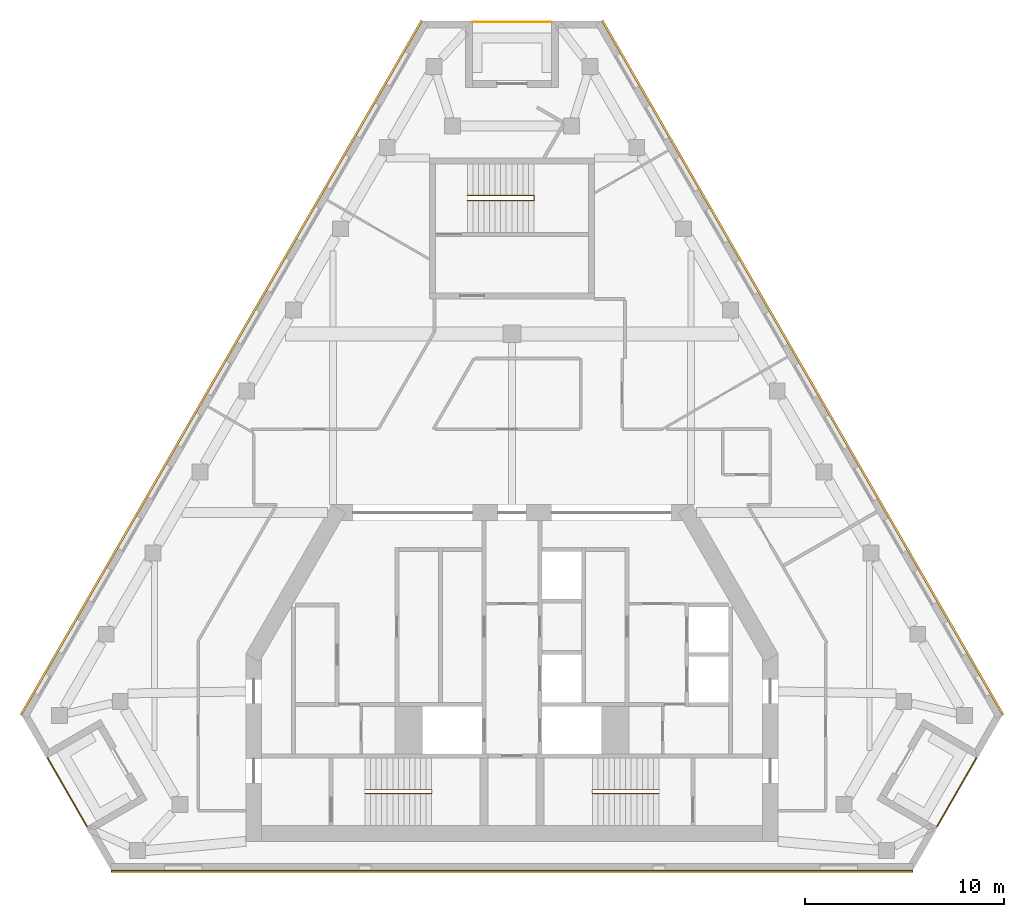
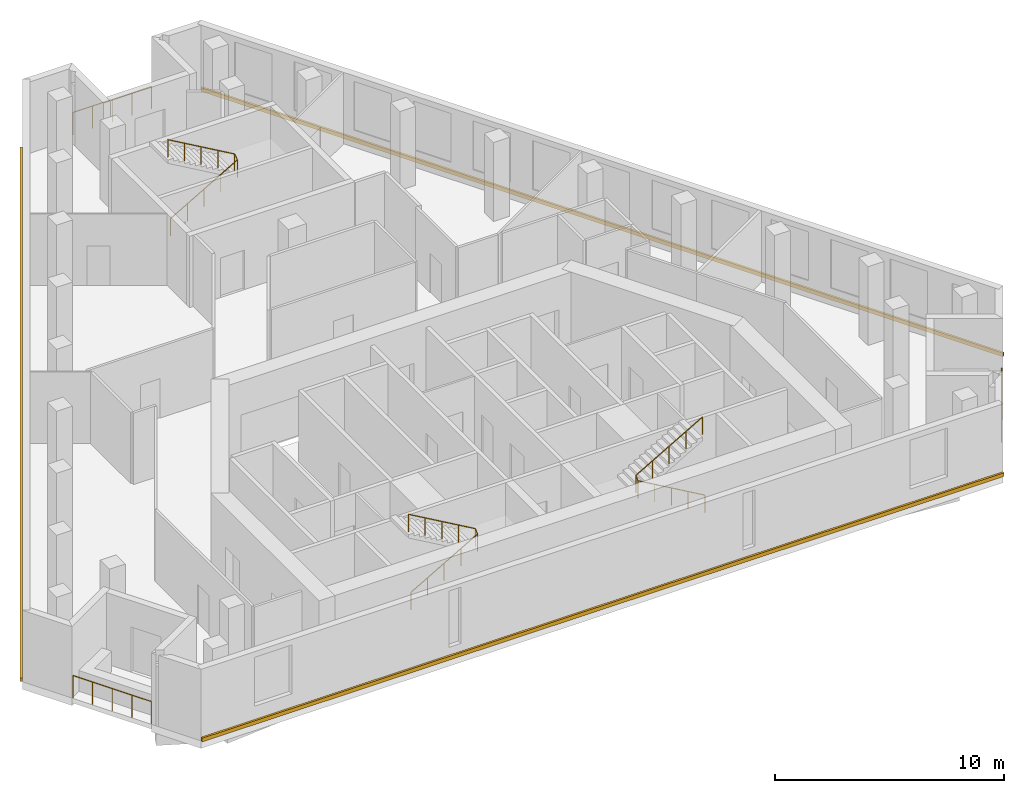
# One storey, part 8 of 8: 6 railings, 3 coverings.
"""IFC4 building model written with IfcOpenShell, lengths in metres."""

from ifc_helpers import new_model, si_unit, direction, frame, origin, origin_2d, place, context, subcontext, project, spatial, polyline, circle, outline, extrude, material, type_object, element, save


model = new_model("IFC4")

# Units and contexts
model_context = context("Model", 3, precision=1e-05, world=origin(), true_north=direction((0.0, 1.0)))
body_context = subcontext(model_context, "Body", "Model", "MODEL_VIEW")
ifc_project = project(units=[si_unit("LENGTHUNIT", "METRE"), si_unit("AREAUNIT", "SQUARE_METRE"), si_unit("VOLUMEUNIT", "CUBIC_METRE"), si_unit("PLANEANGLEUNIT", "RADIAN"), si_unit("MASSUNIT", "GRAM", prefix="KILO")], contexts=[model_context])

# Site, building, storey
site_placement = place(None, origin())
site = spatial("IfcSite", under=ifc_project, at=site_placement, CompositionType="ELEMENT")
building_placement = place(site_placement, origin())
building = spatial("IfcBuilding", under=site, at=building_placement, Name="Fogline Exchange Tower", CompositionType="ELEMENT")
storey_placement = place(building_placement, frame((0.0, 0.0, 314.10009765625)))
storey = spatial("IfcBuildingStorey", under=building, at=storey_placement, Name="L71", CompositionType="ELEMENT", Elevation=314.10009765625)

# Railings
ifc_material_1 = material(Name="Stainless steel 304", Category="steel")
railing_type_1 = type_object("IfcRailingType", Name="G1", PredefinedType="GUARDRAIL", material=ifc_material_1)
railing_1_placement = place(storey_placement, frame((-23.3759765625, 5.635986328125, 0.0)))
element("IfcRailing", 1, at=railing_1_placement, inside=storey, type_object=railing_type_1, Name="Balcony guard L71 SW", PredefinedType="GUARDRAIL", context=body_context, shape_type="SweptSolid", body=[
    extrude(circle(Radius=0.02392578125, at=origin_2d()), frame((0.0, 0.0, 1.17578125), z_axis=(0.500000102728, -0.866025344474, 0.0), x_axis=(0.866025344474, 0.500000102728, 0.0)), (0.0, 0.0, 1.0), 3.9580078125),
    extrude(circle(Radius=0.02099609375, at=origin_2d()), origin(), (0.0, 0.0, 1.0), 1.15185546875),
    extrude(circle(Radius=0.02099609375, at=origin_2d()), frame((0.49462890625, -0.85693359375, 0.0)), (0.0, 0.0, 1.0), 1.15185546875),
    extrude(circle(Radius=0.02099609375, at=origin_2d()), frame((0.989501953125, -1.7138671875, 0.0)), (0.0, 0.0, 1.0), 1.15185546875),
    extrude(circle(Radius=0.02099609375, at=origin_2d()), frame((1.484375, -2.57080078125, 0.0)), (0.0, 0.0, 1.0), 1.15185546875),
    extrude(circle(Radius=0.02099609375, at=origin_2d()), frame((1.97900390625, -3.427734375, 0.0)), (0.0, 0.0, 1.0), 1.15185546875),
])
railing_2_placement = place(storey_placement, frame((21.39697265625, 2.208251953125, 0.0)))
element("IfcRailing", 2, at=railing_2_placement, inside=storey, type_object=railing_type_1, Name="Balcony guard L71 SE", PredefinedType="GUARDRAIL", context=body_context, shape_type="SweptSolid", body=[
    extrude(circle(Radius=0.02392578125, at=origin_2d()), frame((0.0, 0.0, 1.17578125), z_axis=(0.500000102728, 0.866025344474, 0.0), x_axis=(-0.866025344474, 0.500000102728, 0.0)), (0.0, 0.0, 1.0), 3.9580078125),
    extrude(circle(Radius=0.02099609375, at=origin_2d()), origin(), (0.0, 0.0, 1.0), 1.15185546875),
    extrude(circle(Radius=0.02099609375, at=origin_2d()), frame((0.49462890625, 0.85693359375, 0.0)), (0.0, 0.0, 1.0), 1.15185546875),
    extrude(circle(Radius=0.02099609375, at=origin_2d()), frame((0.989501953125, 1.7138671875, 0.0)), (0.0, 0.0, 1.0), 1.15185546875),
    extrude(circle(Radius=0.02099609375, at=origin_2d()), frame((1.484375, 2.57080078125, 0.0)), (0.0, 0.0, 1.0), 1.15185546875),
    extrude(circle(Radius=0.02099609375, at=origin_2d()), frame((1.97900390625, 3.427734375, 0.0)), (0.0, 0.0, 1.0), 1.15185546875),
])
railing_3_placement = place(storey_placement, frame((1.97900390625, 42.69677734375, 0.0)))
element("IfcRailing", 3, at=railing_3_placement, inside=storey, type_object=railing_type_1, Name="Balcony guard L71 N", PredefinedType="GUARDRAIL", context=body_context, shape_type="SweptSolid", body=[
    extrude(circle(Radius=0.02392578125, at=origin_2d()), frame((0.0, 0.0, 1.17578125), z_axis=(-1.0, 0.0, 0.0), x_axis=(0.0, -1.0, 0.0)), (0.0, 0.0, 1.0), 3.9580078125),
    extrude(circle(Radius=0.02099609375, at=origin_2d()), origin(), (0.0, 0.0, 1.0), 1.15185546875),
    extrude(circle(Radius=0.02099609375, at=origin_2d()), frame((-0.989501953125, 0.0, 0.0)), (0.0, 0.0, 1.0), 1.15185546875),
    extrude(circle(Radius=0.02099609375, at=origin_2d()), frame((-1.97900390625, 0.0, 0.0)), (0.0, 0.0, 1.0), 1.15185546875),
    extrude(circle(Radius=0.02099609375, at=origin_2d()), frame((-2.968505859375, 0.0, 0.0)), (0.0, 0.0, 1.0), 1.15185546875),
    extrude(circle(Radius=0.02099609375, at=origin_2d()), frame((-3.9580078125, 0.0, 0.0)), (0.0, 0.0, 1.0), 1.15185546875),
])
ifc_material_2 = material(Name="Steel Q235B", Category="steel")
railing_type_2 = type_object("IfcRailingType", Name="RL-HR", PredefinedType="HANDRAIL", material=ifc_material_2)
railing_4_placement = place(storey_placement, frame((-7.39990234375, 3.85009765625, 0.161376953125)))
element("IfcRailing", 4, at=railing_4_placement, inside=storey, type_object=railing_type_2, Name="Handrail ST1", PredefinedType="HANDRAIL", context=body_context, shape_type="SweptSolid", body=[
    extrude(circle(Radius=0.02392578125, at=origin_2d()), frame((0.0, 0.0, 0.92578125), z_axis=(0.866175107563, 0.0, 0.499740615757), x_axis=(0.0, 1.0, 0.0)), (0.0, 0.0, 1.0), 3.87890625),
    extrude(circle(Radius=0.02392578125, at=origin_2d()), frame((3.35986328125, 0.0, 2.8642578125), z_axis=(0.0, 0.777709044463, 0.628624404682), x_axis=(-1.0, 0.0, 0.0)), (0.0, 0.0, 1.0), 0.257080078125),
    extrude(circle(Radius=0.02392578125, at=origin_2d()), frame((3.35986328125, 0.199951171875, 3.02587890625), z_axis=(-0.866175107563, 0.0, 0.499740615757), x_axis=(0.0, -1.0, 0.0)), (0.0, 0.0, 1.0), 3.87890625),
    extrude(circle(Radius=0.02099609375, at=origin_2d()), origin(), (0.0, 0.0, 1.0), 0.90185546875),
    extrude(circle(Radius=0.02099609375, at=origin_2d()), frame((0.83984375, 0.0, 0.484619140625)), (0.0, 0.0, 1.0), 0.90185546875),
    extrude(circle(Radius=0.02099609375, at=origin_2d()), frame((1.679931640625, 0.0, 0.96923828125)), (0.0, 0.0, 1.0), 0.90185546875),
    extrude(circle(Radius=0.02099609375, at=origin_2d()), frame((2.52001953125, 0.0, 1.453857421875)), (0.0, 0.0, 1.0), 0.90185546875),
    extrude(circle(Radius=0.02099609375, at=origin_2d()), frame((3.35986328125, 0.0, 1.9384765625)), (0.0, 0.0, 1.0), 0.90185546875),
    extrude(circle(Radius=0.02099609375, at=origin_2d()), frame((3.35986328125, 0.199951171875, 2.10009765625)), (0.0, 0.0, 1.0), 0.90185546875),
    extrude(circle(Radius=0.02099609375, at=origin_2d()), frame((2.52001953125, 0.199951171875, 2.584716796875)), (0.0, 0.0, 1.0), 0.90185546875),
    extrude(circle(Radius=0.02099609375, at=origin_2d()), frame((1.679931640625, 0.199951171875, 3.0693359375)), (0.0, 0.0, 1.0), 0.90185546875),
    extrude(circle(Radius=0.02099609375, at=origin_2d()), frame((0.83984375, 0.199951171875, 3.553955078125)), (0.0, 0.0, 1.0), 0.90185546875),
    extrude(circle(Radius=0.02099609375, at=origin_2d()), frame((0.0, 0.199951171875, 4.03857421875)), (0.0, 0.0, 1.0), 0.90185546875),
])
railing_5_placement = place(storey_placement, frame((7.39990234375, 3.85009765625, 0.161376953125)))
element("IfcRailing", 5, at=railing_5_placement, inside=storey, type_object=railing_type_2, Name="Handrail ST2", PredefinedType="HANDRAIL", context=body_context, shape_type="SweptSolid", body=[
    extrude(circle(Radius=0.02392578125, at=origin_2d()), frame((0.0, 0.0, 0.92578125), z_axis=(-0.866175107563, 0.0, 0.499740615757), x_axis=(0.0, -1.0, 0.0)), (0.0, 0.0, 1.0), 3.87890625),
    extrude(circle(Radius=0.02392578125, at=origin_2d()), frame((-3.35986328125, 0.0, 2.8642578125), z_axis=(0.0, 0.777709044463, 0.628624404682), x_axis=(-1.0, 0.0, 0.0)), (0.0, 0.0, 1.0), 0.257080078125),
    extrude(circle(Radius=0.02392578125, at=origin_2d()), frame((-3.35986328125, 0.199951171875, 3.02587890625), z_axis=(0.866175107563, 0.0, 0.499740615757), x_axis=(0.0, 1.0, 0.0)), (0.0, 0.0, 1.0), 3.87890625),
    extrude(circle(Radius=0.02099609375, at=origin_2d()), origin(), (0.0, 0.0, 1.0), 0.90185546875),
    extrude(circle(Radius=0.02099609375, at=origin_2d()), frame((-0.83984375, 0.0, 0.484619140625)), (0.0, 0.0, 1.0), 0.90185546875),
    extrude(circle(Radius=0.02099609375, at=origin_2d()), frame((-1.679931640625, 0.0, 0.96923828125)), (0.0, 0.0, 1.0), 0.90185546875),
    extrude(circle(Radius=0.02099609375, at=origin_2d()), frame((-2.52001953125, 0.0, 1.453857421875)), (0.0, 0.0, 1.0), 0.90185546875),
    extrude(circle(Radius=0.02099609375, at=origin_2d()), frame((-3.35986328125, 0.0, 1.9384765625)), (0.0, 0.0, 1.0), 0.90185546875),
    extrude(circle(Radius=0.02099609375, at=origin_2d()), frame((-3.35986328125, 0.199951171875, 2.10009765625)), (0.0, 0.0, 1.0), 0.90185546875),
    extrude(circle(Radius=0.02099609375, at=origin_2d()), frame((-2.52001953125, 0.199951171875, 2.584716796875)), (0.0, 0.0, 1.0), 0.90185546875),
    extrude(circle(Radius=0.02099609375, at=origin_2d()), frame((-1.679931640625, 0.199951171875, 3.0693359375)), (0.0, 0.0, 1.0), 0.90185546875),
    extrude(circle(Radius=0.02099609375, at=origin_2d()), frame((-0.83984375, 0.199951171875, 3.553955078125)), (0.0, 0.0, 1.0), 0.90185546875),
    extrude(circle(Radius=0.02099609375, at=origin_2d()), frame((0.0, 0.199951171875, 4.03857421875)), (0.0, 0.0, 1.0), 0.90185546875),
])
railing_6_placement = place(storey_placement, frame((-2.25, 33.70703125, 0.161376953125)))
element("IfcRailing", 6, at=railing_6_placement, inside=storey, type_object=railing_type_2, Name="Handrail ST3", PredefinedType="HANDRAIL", context=body_context, shape_type="SweptSolid", body=[
    extrude(circle(Radius=0.02392578125, at=origin_2d()), frame((0.0, 0.0, 0.92578125), z_axis=(0.866190824863, 0.0, 0.499713372768), x_axis=(0.0, 1.0, 0.0)), (0.0, 0.0, 1.0), 3.879150390625),
    extrude(circle(Radius=0.02392578125, at=origin_2d()), frame((3.360107421875, 0.0, 2.8642578125), z_axis=(0.0, 0.839790117141, 0.542911189011), x_axis=(-1.0, 0.0, 0.0)), (0.0, 0.0, 1.0), 0.297607421875),
    extrude(circle(Radius=0.02392578125, at=origin_2d()), frame((3.360107421875, 0.25, 3.02587890625), z_axis=(-0.866190824863, 0.0, 0.499713372768), x_axis=(0.0, -1.0, 0.0)), (0.0, 0.0, 1.0), 3.879150390625),
    extrude(circle(Radius=0.02099609375, at=origin_2d()), origin(), (0.0, 0.0, 1.0), 0.90185546875),
    extrude(circle(Radius=0.02099609375, at=origin_2d()), frame((0.840087890625, 0.0, 0.484619140625)), (0.0, 0.0, 1.0), 0.90185546875),
    extrude(circle(Radius=0.02099609375, at=origin_2d()), frame((1.68017578125, 0.0, 0.96923828125)), (0.0, 0.0, 1.0), 0.90185546875),
    extrude(circle(Radius=0.02099609375, at=origin_2d()), frame((2.52001953125, 0.0, 1.453857421875)), (0.0, 0.0, 1.0), 0.90185546875),
    extrude(circle(Radius=0.02099609375, at=origin_2d()), frame((3.360107421875, 0.0, 1.9384765625)), (0.0, 0.0, 1.0), 0.90185546875),
    extrude(circle(Radius=0.02099609375, at=origin_2d()), frame((3.360107421875, 0.25, 2.10009765625)), (0.0, 0.0, 1.0), 0.90185546875),
    extrude(circle(Radius=0.02099609375, at=origin_2d()), frame((2.52001953125, 0.25, 2.584716796875)), (0.0, 0.0, 1.0), 0.90185546875),
    extrude(circle(Radius=0.02099609375, at=origin_2d()), frame((1.68017578125, 0.25, 3.0693359375)), (0.0, 0.0, 1.0), 0.90185546875),
    extrude(circle(Radius=0.02099609375, at=origin_2d()), frame((0.840087890625, 0.25, 3.553955078125)), (0.0, 0.0, 1.0), 0.90185546875),
    extrude(circle(Radius=0.02099609375, at=origin_2d()), frame((0.0, 0.25, 4.03857421875)), (0.0, 0.0, 1.0), 0.90185546875),
])

# Coverings
ifc_material_3 = material(Name="Brick masonry", Category="masonry")
covering_type = type_object("IfcCoveringType", Name="SB1", PredefinedType="CLADDING", material=ifc_material_3)
covering_1_placement = place(storey_placement, origin())
element("IfcCovering", 7, at=covering_1_placement, inside=storey, type_object=covering_type, Name="Stringcourse band L71 S", PredefinedType="CLADDING", context=body_context, shape_type="SweptSolid", body=[
    extrude(outline(polyline([(-20.1796875, 0.0), (-20.1796875, -0.10009765625), (20.1796875, -0.10009765625), (20.1796875, 0.0), (-20.1796875, 0.0)])), origin(), (0.0, 0.0, 1.0), 0.199951171875),
])
covering_2_placement = place(storey_placement, origin())
element("IfcCovering", 8, at=covering_2_placement, inside=storey, type_object=covering_type, Name="Stringcourse band L71 E", PredefinedType="CLADDING", context=body_context, shape_type="SweptSolid", body=[
    extrude(outline(polyline([(24.6796875, 7.794189453125), (24.766357421875, 7.84423828125), (4.586669921875, 42.796630859375), (4.5, 42.74658203125), (24.6796875, 7.794189453125)])), origin(), (0.0, 0.0, 1.0), 0.199951171875),
])
covering_3_placement = place(storey_placement, origin())
element("IfcCovering", 9, at=covering_3_placement, inside=storey, type_object=covering_type, Name="Stringcourse band L71 W", PredefinedType="CLADDING", context=body_context, shape_type="SweptSolid", body=[
    extrude(outline(polyline([(-4.5, 42.74658203125), (-4.586669921875, 42.796630859375), (-24.766357421875, 7.84423828125), (-24.6796875, 7.794189453125), (-4.5, 42.74658203125)])), origin(), (0.0, 0.0, 1.0), 0.199951171875),
])

save(model, "model.ifc")
